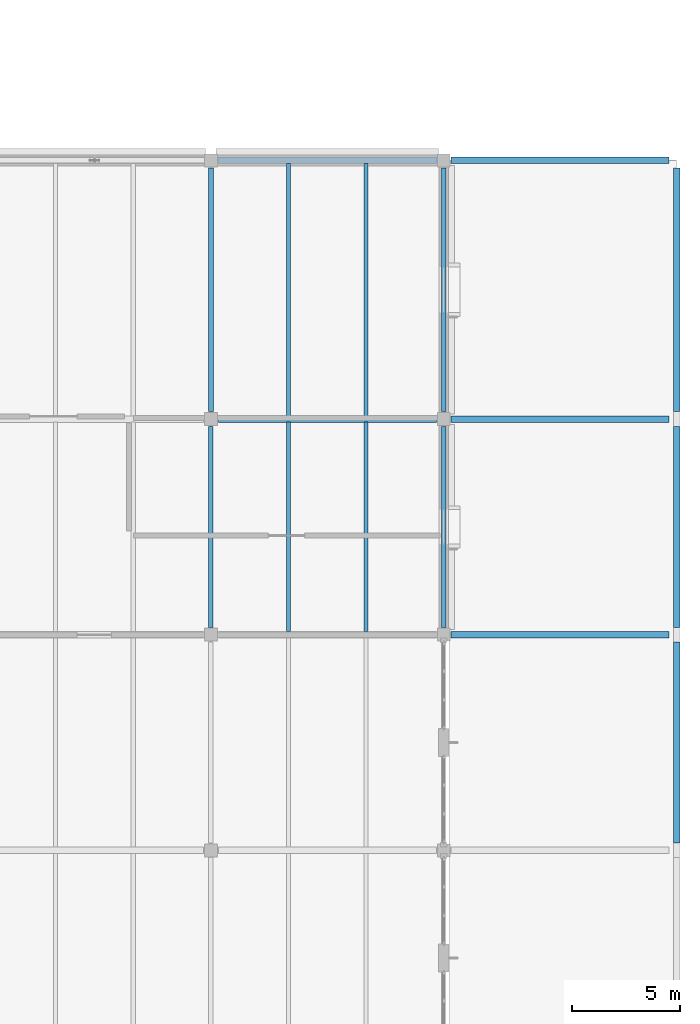
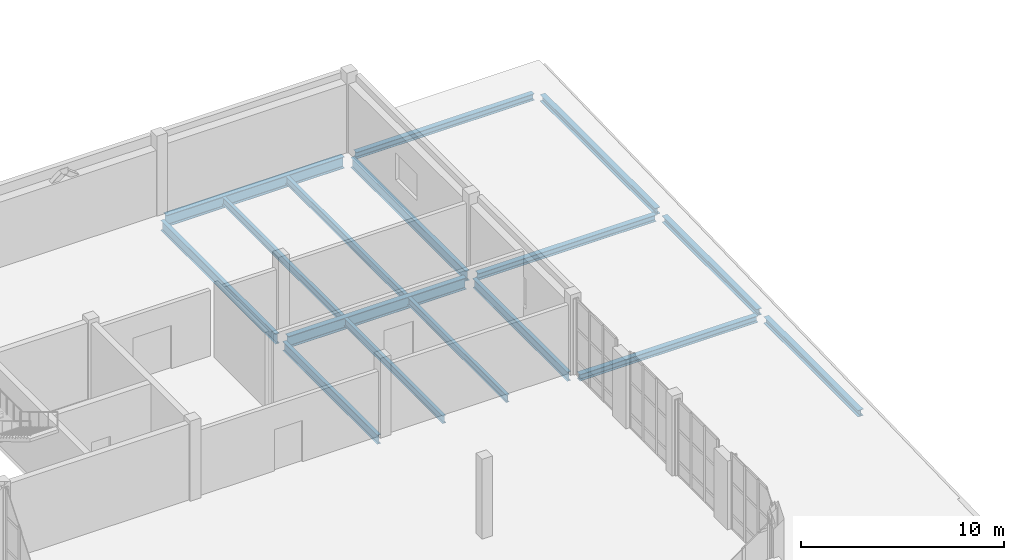
# One storey, part 61 of 100: 16 beams.
"""IFC4 building model written with IfcOpenShell, lengths in metres."""

from ifc_helpers import new_model, si_unit, direction, frame, origin, origin_2d, place, context, subcontext, project, spatial, i_section, extrude, material, material_profile, profile_set, type_object, element, save


model = new_model("IFC4")

# Units and contexts
model_context = context("Model", 3, precision=1e-05, world=origin(), true_north=direction((0.0, 1.0)))
body_context = subcontext(model_context, "Body", "Model", "MODEL_VIEW")
ifc_project = project(units=[si_unit("LENGTHUNIT", "METRE"), si_unit("AREAUNIT", "SQUARE_METRE"), si_unit("VOLUMEUNIT", "CUBIC_METRE"), si_unit("PLANEANGLEUNIT", "RADIAN"), si_unit("MASSUNIT", "GRAM", prefix="KILO")], contexts=[model_context])

# Site, building, storey
site_placement = place(None, origin())
site = spatial("IfcSite", under=ifc_project, at=site_placement, CompositionType="ELEMENT")
building_placement = place(site_placement, origin())
building = spatial("IfcBuilding", under=site, at=building_placement, Name="Tasgan Crest Museum", CompositionType="ELEMENT")
storey_placement = place(building_placement, frame((0.0, 0.0, 9.60009765625)))
storey = spatial("IfcBuildingStorey", under=building, at=storey_placement, Name="L02", CompositionType="ELEMENT", Elevation=9.60009765625)

# Beams
ifc_material_1 = material(Name="Steel S355J2", Category="steel")
ifc_material_profile_1 = material_profile(ifc_material_1, i_section(OverallWidth=0.300048828125, OverallDepth=0.389892578125, WebThickness=0.010986328125, FlangeThickness=0.01904296875, FilletRadius=0.027099609375, at=origin_2d()), Name="HEA 400")
ifc_profile_set_1 = profile_set([ifc_material_profile_1], Name="Steel S355J2")
beam_type_1 = type_object("IfcBeamType", Name="BM-G-HEA400", PredefinedType="BEAM", material=ifc_profile_set_1)
for number, where, z_axis, x_axis, name in (
    (1, (140.74609375, 40.0, -0.47509765625), (1.0, 0.0, 0.0), (0.0, 1.0, 0.0), "East lab lower step roof girder E 140.4"),
    (2, (140.74609375, 50.0, -0.47509765625), (1.0, 0.0, 0.0), (0.0, 1.0, 0.0), "East lab lower step roof girder F 140.4"),
    (3, (140.74609375, 62.0, -0.47509765625), (1.0, 0.0, 0.0), (0.0, 1.0, 0.0), "East lab lower step roof girder G 140.4"),
):
    element("IfcBeam", number, at=place(storey_placement, frame(where, z_axis=z_axis, x_axis=x_axis)), inside=storey, type_object=beam_type_1, Name=name, PredefinedType="BEAM", context=body_context, shape_type="SweptSolid", body=[
        extrude(i_section(OverallWidth=0.300048828125, OverallDepth=0.389892578125, WebThickness=0.010986328125, FlangeThickness=0.01904296875, FilletRadius=0.027099609375, at=origin_2d()), origin(), (0.0, 0.0, 1.0), 10.10791015625),
    ])
for number, where, z_axis, x_axis, name in (
    (4, (151.199951171875, 30.344970703125, -0.47509765625), (0.0, 1.0, 0.0), (-1.0, 0.0, 0.0), "East lab lower step roof beam 15 30.0"),
    (5, (151.199951171875, 40.344970703125, -0.47509765625), (0.0, 1.0, 0.0), (-1.0, 0.0, 0.0), "East lab lower step roof beam 15 40.0"),
):
    element("IfcBeam", number, at=place(storey_placement, frame(where, z_axis=z_axis, x_axis=x_axis)), inside=storey, type_object=beam_type_1, Name=name, PredefinedType="BEAM", context=body_context, shape_type="SweptSolid", body=[
        extrude(i_section(OverallWidth=0.300048828125, OverallDepth=0.389892578125, WebThickness=0.010986328125, FlangeThickness=0.01904296875, FilletRadius=0.027099609375, at=origin_2d()), origin(), (0.0, 0.0, 1.0), 9.31005859375),
    ])
beam_placement = place(storey_placement, frame((151.199951171875, 50.344970703125, -0.47509765625), z_axis=(0.0, 1.0, 0.0), x_axis=(-1.0, 0.0, 0.0)))
element("IfcBeam", 6, at=beam_placement, inside=storey, type_object=beam_type_1, Name="East lab lower step roof beam 15 50.0", PredefinedType="BEAM", context=body_context, shape_type="SweptSolid", body=[
    extrude(i_section(OverallWidth=0.300048828125, OverallDepth=0.389892578125, WebThickness=0.010986328125, FlangeThickness=0.01904296875, FilletRadius=0.027099609375, at=origin_2d()), origin(), (0.0, 0.0, 1.0), 11.31005859375),
])
ifc_material_2 = material(Name="Steel S355K2", Category="steel")
ifc_material_profile_2 = material_profile(ifc_material_2, i_section(OverallWidth=0.300048828125, OverallDepth=0.68994140625, WebThickness=0.014404296875, FlangeThickness=0.027099609375, FilletRadius=0.027099609375, at=origin_2d()), Name="HEA 700")
ifc_profile_set_2 = profile_set([ifc_material_profile_2], Name="Steel S355K2")
beam_type_2 = type_object("IfcBeamType", Name="BM-G-HEA700", PredefinedType="BEAM", material=ifc_profile_set_2)
for number, where, z_axis, x_axis, name in (
    (7, (129.946044921875, 50.0, -0.625), (1.0, 0.0, 0.0), (0.0, 1.0, 0.0), "Girder L02 F 129.6-140.4"),
    (8, (129.946044921875, 62.0, -0.625), (1.0, 0.0, 0.0), (0.0, 1.0, 0.0), "Girder L02 G 129.6-140.4"),
):
    element("IfcBeam", number, at=place(storey_placement, frame(where, z_axis=z_axis, x_axis=x_axis)), inside=storey, type_object=beam_type_2, Name=name, PredefinedType="BEAM", context=body_context, shape_type="SweptSolid", body=[
        extrude(i_section(OverallWidth=0.300048828125, OverallDepth=0.68994140625, WebThickness=0.014404296875, FlangeThickness=0.027099609375, FilletRadius=0.027099609375, at=origin_2d()), origin(), (0.0, 0.0, 1.0), 10.10791015625),
    ])
ifc_material_3 = material(Name="Steel S355J2", Category="steel")
ifc_material_profile_3 = material_profile(ifc_material_3, i_section(OverallWidth=0.2099609375, OverallDepth=0.550048828125, WebThickness=0.010986328125, FlangeThickness=0.01708984375, FilletRadius=0.02392578125, at=origin_2d()), Name="IPE 550")
ifc_profile_set_3 = profile_set([ifc_material_profile_3], Name="Steel S355J2")
beam_type_3 = type_object("IfcBeamType", Name="BM-G-IPE550", PredefinedType="BEAM", material=ifc_profile_set_3)
for number, where, z_axis, x_axis, name in (
    (9, (129.60009765625, 40.344970703125, -0.55517578125), (0.0, 1.0, 0.0), (-1.0, 0.0, 0.0), "Beam L02 13 40.0-50.0"),
    (10, (140.39990234375, 40.344970703125, -0.55517578125), (0.0, 1.0, 0.0), (-1.0, 0.0, 0.0), "Beam L02 14 40.0-50.0"),
):
    element("IfcBeam", number, at=place(storey_placement, frame(where, z_axis=z_axis, x_axis=x_axis)), inside=storey, type_object=beam_type_3, Name=name, PredefinedType="BEAM", context=body_context, shape_type="SweptSolid", body=[
        extrude(i_section(OverallWidth=0.2099609375, OverallDepth=0.550048828125, WebThickness=0.010986328125, FlangeThickness=0.01708984375, FilletRadius=0.02392578125, at=origin_2d()), origin(), (0.0, 0.0, 1.0), 9.31005859375),
    ])
ifc_material_4 = material(Name="Steel S355J2", Category="steel")
ifc_material_profile_4 = material_profile(ifc_material_4, i_section(OverallWidth=0.219970703125, OverallDepth=0.60009765625, WebThickness=0.011962890625, FlangeThickness=0.01904296875, FilletRadius=0.02392578125, at=origin_2d()), Name="IPE 600")
ifc_profile_set_4 = profile_set([ifc_material_profile_4], Name="Steel S355J2")
beam_type_4 = type_object("IfcBeamType", Name="BM-G-IPE600", PredefinedType="BEAM", material=ifc_profile_set_4)
for number, where, z_axis, x_axis, name in (
    (11, (129.60009765625, 50.344970703125, -0.580078125), (0.0, 1.0, 0.0), (-1.0, 0.0, 0.0), "Beam L02 13 50.0-62.0"),
    (12, (140.39990234375, 50.344970703125, -0.580078125), (0.0, 1.0, 0.0), (-1.0, 0.0, 0.0), "Beam L02 14 50.0-62.0"),
):
    element("IfcBeam", number, at=place(storey_placement, frame(where, z_axis=z_axis, x_axis=x_axis)), inside=storey, type_object=beam_type_4, Name=name, PredefinedType="BEAM", context=body_context, shape_type="SweptSolid", body=[
        extrude(i_section(OverallWidth=0.219970703125, OverallDepth=0.60009765625, WebThickness=0.011962890625, FlangeThickness=0.01904296875, FilletRadius=0.02392578125, at=origin_2d()), origin(), (0.0, 0.0, 1.0), 11.31005859375),
    ])
ifc_material_5 = material(Name="Steel S355J2", Category="steel")
ifc_material_profile_5 = material_profile(ifc_material_5, i_section(OverallWidth=0.18994140625, OverallDepth=0.449951171875, WebThickness=0.009521484375, FlangeThickness=0.0146484375, FilletRadius=0.02099609375, at=origin_2d()), Name="IPE 450")
ifc_profile_set_5 = profile_set([ifc_material_profile_5], Name="Steel S355J2")
beam_type_5 = type_object("IfcBeamType", Name="BM-J-IPE450", PredefinedType="JOIST", material=ifc_profile_set_5)
for number, where, z_axis, x_axis, name in (
    (13, (133.199951171875, 40.14501953125, -0.505126953125), (0.0, 1.0, 0.0), (-1.0, 0.0, 0.0), "Secondary joist L02 X=133.2 Y=40.0-50.0"),
    (14, (136.800048828125, 40.14501953125, -0.505126953125), (0.0, 1.0, 0.0), (-1.0, 0.0, 0.0), "Secondary joist L02 X=136.8 Y=40.0-50.0"),
):
    element("IfcBeam", number, at=place(storey_placement, frame(where, z_axis=z_axis, x_axis=x_axis)), inside=storey, type_object=beam_type_5, Name=name, PredefinedType="JOIST", context=body_context, shape_type="SweptSolid", body=[
        extrude(i_section(OverallWidth=0.18994140625, OverallDepth=0.449951171875, WebThickness=0.009521484375, FlangeThickness=0.0146484375, FilletRadius=0.02099609375, at=origin_2d()), origin(), (0.0, 0.0, 1.0), 9.7099609375),
    ])
for number, where, z_axis, x_axis, name in (
    (15, (133.199951171875, 50.14501953125, -0.505126953125), (0.0, 1.0, 0.0), (-1.0, 0.0, 0.0), "Secondary joist L02 X=133.2 Y=50.0-62.0"),
    (16, (136.800048828125, 50.14501953125, -0.505126953125), (0.0, 1.0, 0.0), (-1.0, 0.0, 0.0), "Secondary joist L02 X=136.8 Y=50.0-62.0"),
):
    element("IfcBeam", number, at=place(storey_placement, frame(where, z_axis=z_axis, x_axis=x_axis)), inside=storey, type_object=beam_type_5, Name=name, PredefinedType="JOIST", context=body_context, shape_type="SweptSolid", body=[
        extrude(i_section(OverallWidth=0.18994140625, OverallDepth=0.449951171875, WebThickness=0.009521484375, FlangeThickness=0.0146484375, FilletRadius=0.02099609375, at=origin_2d()), origin(), (0.0, 0.0, 1.0), 11.7099609375),
    ])

save(model, "model.ifc")
